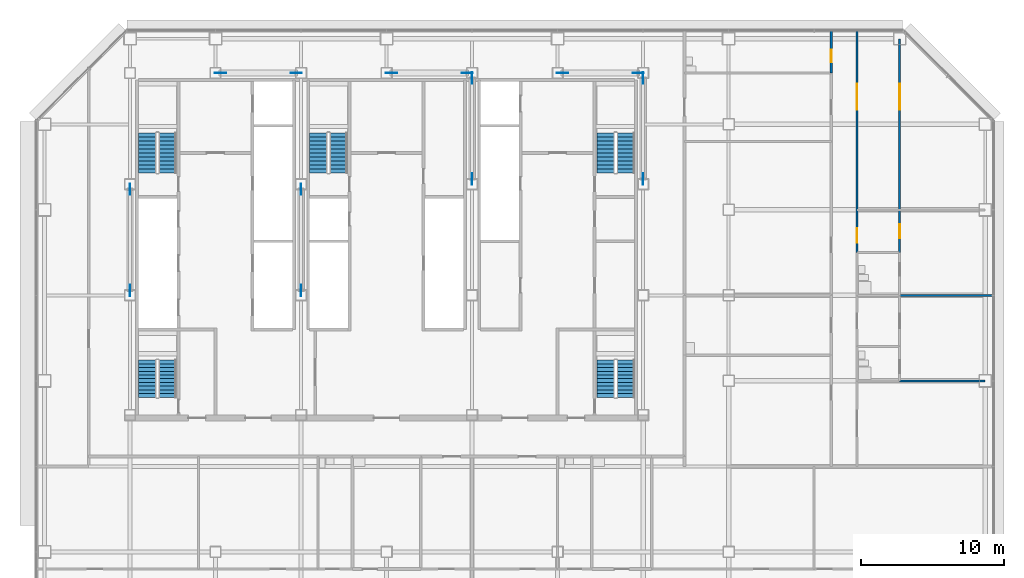
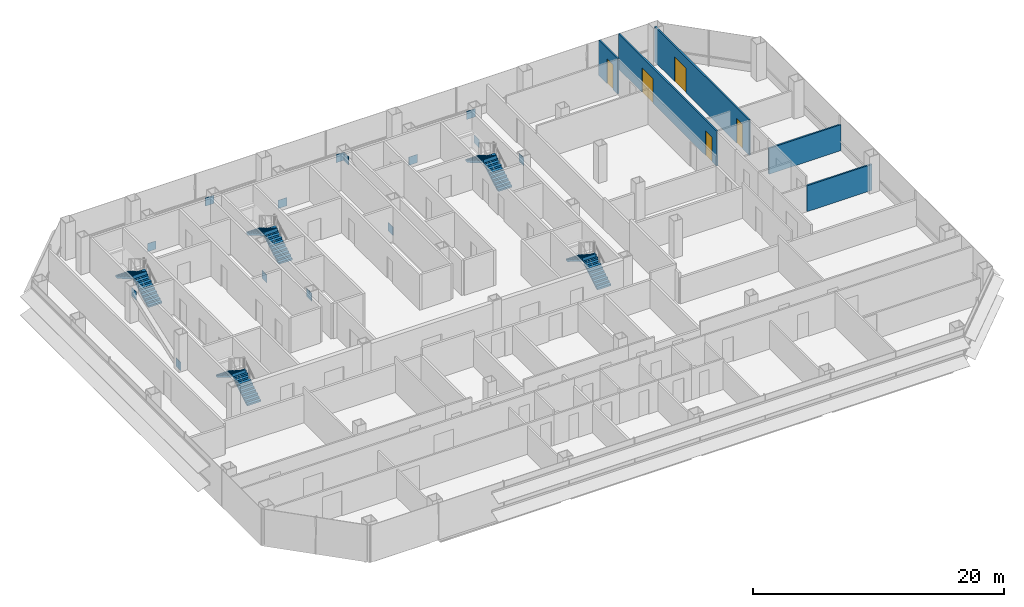
# One storey, part 24 of 26: 14 discrete accessories, 10 stair flights, 5 doors, 5 walls, 5 openings, 5 elements without a shape of their own.
"""IFC4 building model written with IfcOpenShell, lengths in metres."""

from ifc_helpers import new_model, si_unit, direction, frame, frame_2d, origin, origin_2d, place, context, subcontext, project, spatial, polyline, rectangle, outline, extrude, material, layer, layer_set, type_object, element, fill, aggregate, save


model = new_model("IFC4")

# Units and contexts
model_context = context("Model", 3, precision=1e-05, world=origin(), true_north=direction((0.0, 1.0)))
body_context = subcontext(model_context, "Body", "Model", "MODEL_VIEW")
ifc_project = project(units=[si_unit("LENGTHUNIT", "METRE"), si_unit("AREAUNIT", "SQUARE_METRE"), si_unit("VOLUMEUNIT", "CUBIC_METRE"), si_unit("PLANEANGLEUNIT", "RADIAN"), si_unit("MASSUNIT", "GRAM", prefix="KILO")], contexts=[model_context])

# Site, building, storey
site_placement = place(None, origin())
site = spatial("IfcSite", under=ifc_project, at=site_placement, CompositionType="ELEMENT")
building_placement = place(site_placement, origin())
building = spatial("IfcBuilding", under=site, at=building_placement, Name="Sorahane Residences", CompositionType="ELEMENT")
storey_placement = place(building_placement, frame((0.0, 0.0, 64.199951171875)))
storey = spatial("IfcBuildingStorey", under=building, at=storey_placement, Name="L12", CompositionType="ELEMENT", Elevation=64.199951171875)

# Wall, openings, doors
ifc_material_1 = material(Name="Gypsum board partition on steel studs", Category="steel")
ifc_layer_1 = layer(ifc_material_1, 0.14990234375)
ifc_layer_set_1 = layer_set([ifc_layer_1], Name="Partition 150 EI 90")
wall_type_1 = type_object("IfcWallType", Name="Partition 150 EI 90", PredefinedType="PARTITIONING", material=ifc_layer_set_1)
wall_1_placement = place(storey_placement, frame((57.0, 33.0, 0.0), z_axis=(0.0, 0.0, 1.0), x_axis=(0.0, 1.0, 0.0)))
wall_1 = element("IfcWall", 1, at=wall_1_placement, inside=storey, type_object=wall_type_1, Name="L12 partition", PredefinedType="PARTITIONING", context=body_context, shape_type="SweptSolid", body=[
    extrude(rectangle(XDim=15.60009765625, YDim=0.14990234375, at=frame_2d((7.800048828125, 0.0))), origin(), (0.0, 0.0, 1.0), 3.420166015625),
])
opening_1_placement = place(wall_1_placement, frame((0.699951171875, 0.0, 0.0)))
opening_1 = element("IfcOpeningElement", 2, at=opening_1_placement, cuts=wall_1, Name="Opening L12-35", PredefinedType="OPENING", context=body_context, shape_type="SweptSolid", body=[
    extrude(rectangle(XDim=1.0, YDim=2.39990234375, at=frame_2d((0.5, 1.199951171875))), frame((0.0, 0.0849609375, 0.0), z_axis=(0.0, -1.0, 0.0), x_axis=(1.0, 0.0, 0.0)), (0.0, 0.0, 1.0), 0.169921875),
])
opening_2_placement = place(wall_1_placement, frame((10.0400390625, 0.0, 0.0)))
opening_2 = element("IfcOpeningElement", 3, at=opening_2_placement, cuts=wall_1, Name="Opening L12-36", PredefinedType="OPENING", context=body_context, shape_type="SweptSolid", body=[
    extrude(rectangle(XDim=1.800048828125, YDim=2.39990234375, at=frame_2d((0.89990234375, 1.199951171875))), frame((0.0, 0.0849609375, 0.0), z_axis=(0.0, -1.0, 0.0), x_axis=(1.0, 0.0, 0.0)), (0.0, 0.0, 1.0), 0.169921875),
])
ifc_material_2 = material(Name="Timber veneered fire door", Category="wood")
door_type_1 = type_object("IfcDoorType", Name="Double door 1800x2400 FD30", OperationType="NOTDEFINED", PredefinedType="DOOR", material=ifc_material_2)
door_1_placement = place(opening_2_placement, frame((1.800048828125, 0.0, 0.0), z_axis=(0.0, 0.0, 1.0), x_axis=(-1.0, 0.0, 0.0)))
door_1 = element("IfcDoor", 4, at=door_1_placement, inside=storey, type_object=door_type_1, Name="Double door L12-36", OperationType="SINGLE_SWING_RIGHT", OverallHeight=2.39990234375, OverallWidth=1.800048828125, PredefinedType="DOOR", context=body_context, shape_type="SweptSolid", body=[
    extrude(rectangle(XDim=1.800048828125, YDim=2.39990234375, at=frame_2d((0.89990234375, 1.199951171875))), frame((0.0, 0.02490234375, 0.0), z_axis=(0.0, -1.0, 0.0), x_axis=(1.0, 0.0, 0.0)), (0.0, 0.0, 1.0), 0.050048828125),
])
fill(opening_2, door_1)
ifc_material_3 = material(Name="Timber veneered fire door", Category="wood")
door_type_2 = type_object("IfcDoorType", Name="Room door 1000x2400 FD30", OperationType="NOTDEFINED", PredefinedType="DOOR", material=ifc_material_3)
door_2_placement = place(opening_1_placement, frame((1.0, 0.0, 0.0), z_axis=(0.0, 0.0, 1.0), x_axis=(-1.0, 0.0, 0.0)))
door_2 = element("IfcDoor", 5, at=door_2_placement, inside=storey, type_object=door_type_2, Name="Room door L12-35", OperationType="SINGLE_SWING_LEFT", OverallHeight=2.39990234375, OverallWidth=1.0, PredefinedType="DOOR", context=body_context, shape_type="SweptSolid", body=[
    extrude(rectangle(XDim=1.0, YDim=2.39990234375, at=frame_2d((0.5, 1.199951171875))), frame((0.0, 0.02490234375, 0.0), z_axis=(0.0, -1.0, 0.0), x_axis=(1.0, 0.0, 0.0)), (0.0, 0.0, 1.0), 0.050048828125),
])
fill(opening_1, door_2)

wall_2_placement = place(storey_placement, frame((60.0, 33.0, 0.0), z_axis=(0.0, 0.0, 1.0), x_axis=(0.0, 1.0, 0.0)))
wall_2 = element("IfcWall", 6, at=wall_2_placement, inside=storey, type_object=wall_type_1, Name="L12 partition", PredefinedType="PARTITIONING", context=body_context, shape_type="SweptSolid", body=[
    extrude(rectangle(XDim=15.0, YDim=0.14990234375, at=frame_2d((7.5, 0.0))), origin(), (0.0, 0.0, 1.0), 3.420166015625),
])
opening_3_placement = place(wall_2_placement, frame((1.0, 0.0, 0.0)))
opening_3 = element("IfcOpeningElement", 7, at=opening_3_placement, cuts=wall_2, Name="Opening L12-39", PredefinedType="OPENING", context=body_context, shape_type="SweptSolid", body=[
    extrude(rectangle(XDim=1.0, YDim=2.39990234375, at=frame_2d((0.5, 1.199951171875))), frame((0.0, 0.0849609375, 0.0), z_axis=(0.0, -1.0, 0.0), x_axis=(1.0, 0.0, 0.0)), (0.0, 0.0, 1.0), 0.169921875),
])
opening_4_placement = place(wall_2_placement, frame((10.0400390625, 0.0, 0.0)))
opening_4 = element("IfcOpeningElement", 8, at=opening_4_placement, cuts=wall_2, Name="Opening L12-41", PredefinedType="OPENING", context=body_context, shape_type="SweptSolid", body=[
    extrude(rectangle(XDim=1.800048828125, YDim=2.39990234375, at=frame_2d((0.89990234375, 1.199951171875))), frame((0.0, 0.0849609375, 0.0), z_axis=(0.0, -1.0, 0.0), x_axis=(1.0, 0.0, 0.0)), (0.0, 0.0, 1.0), 0.169921875),
])
door_3_placement = place(opening_4_placement, frame((1.800048828125, 0.0, 0.0), z_axis=(0.0, 0.0, 1.0), x_axis=(-1.0, 0.0, 0.0)))
door_3 = element("IfcDoor", 9, at=door_3_placement, inside=storey, type_object=door_type_1, Name="Double door L12-41", OperationType="SINGLE_SWING_LEFT", OverallHeight=2.39990234375, OverallWidth=1.800048828125, PredefinedType="DOOR", context=body_context, shape_type="SweptSolid", body=[
    extrude(rectangle(XDim=1.800048828125, YDim=2.39990234375, at=frame_2d((0.89990234375, 1.199951171875))), frame((0.0, 0.02490234375, 0.0), z_axis=(0.0, -1.0, 0.0), x_axis=(1.0, 0.0, 0.0)), (0.0, 0.0, 1.0), 0.050048828125),
])
fill(opening_4, door_3)
door_4_placement = place(opening_3_placement, frame((1.0, 0.0, 0.0), z_axis=(0.0, 0.0, 1.0), x_axis=(-1.0, 0.0, 0.0)))
door_4 = element("IfcDoor", 10, at=door_4_placement, inside=storey, type_object=door_type_2, Name="Room door L12-39", OperationType="SINGLE_SWING_LEFT", OverallHeight=2.39990234375, OverallWidth=1.0, PredefinedType="DOOR", context=body_context, shape_type="SweptSolid", body=[
    extrude(rectangle(XDim=1.0, YDim=2.39990234375, at=frame_2d((0.5, 1.199951171875))), frame((0.0, 0.02490234375, 0.0), z_axis=(0.0, -1.0, 0.0), x_axis=(1.0, 0.0, 0.0)), (0.0, 0.0, 1.0), 0.050048828125),
])
fill(opening_3, door_4)

# Walls
wall_3_placement = place(storey_placement, frame((60.0, 24.0, 0.0), z_axis=(0.0, 0.0, 1.0), x_axis=(1.0, 0.0, 0.0)))
element("IfcWall", 11, at=wall_3_placement, inside=storey, type_object=wall_type_1, Name="L12 partition", PredefinedType="PARTITIONING", context=body_context, shape_type="SweptSolid", body=[
    extrude(rectangle(XDim=6.0, YDim=0.14990234375, at=frame_2d((3.0, 0.0))), origin(), (0.0, 0.0, 1.0), 2.52001953125),
])
wall_4_placement = place(storey_placement, frame((60.0, 30.0, 0.0), z_axis=(0.0, 0.0, 1.0), x_axis=(1.0, 0.0, 0.0)))
element("IfcWall", 12, at=wall_4_placement, inside=storey, type_object=wall_type_1, Name="L12 partition", PredefinedType="PARTITIONING", context=body_context, shape_type="SweptSolid", body=[
    extrude(rectangle(XDim=6.60009765625, YDim=0.14990234375, at=frame_2d((3.300048828125, 0.0))), origin(), (0.0, 0.0, 1.0), 2.52001953125),
])

# Wall, opening, door
ifc_material_4 = material(Name="Gypsum board partition on steel studs", Category="steel")
ifc_layer_2 = layer(ifc_material_4, 0.14990234375)
ifc_layer_set_2 = layer_set([ifc_layer_2], Name="Wet wall 150 EI 90")
wall_type_2 = type_object("IfcWallType", Name="Wet wall 150 EI 90", PredefinedType="PARTITIONING", material=ifc_layer_set_2)
wall_5_placement = place(storey_placement, frame((55.199951171875, 45.60009765625, 0.0), z_axis=(0.0, 0.0, 1.0), x_axis=(0.0, 1.0, 0.0)))
wall_5 = element("IfcWall", 13, at=wall_5_placement, inside=storey, type_object=wall_type_2, Name="L12 wet wall", PredefinedType="PARTITIONING", context=body_context, shape_type="SweptSolid", body=[
    extrude(rectangle(XDim=3.0, YDim=0.14990234375, at=frame_2d((1.5, 0.0))), origin(), (0.0, 0.0, 1.0), 3.420166015625),
])
opening_5_placement = place(wall_5_placement, frame((0.75, 0.0, 0.0)))
opening_5 = element("IfcOpeningElement", 14, at=opening_5_placement, cuts=wall_5, Name="Opening L12-32", PredefinedType="OPENING", context=body_context, shape_type="SweptSolid", body=[
    extrude(rectangle(XDim=0.89990234375, YDim=2.39990234375, at=frame_2d((0.449951171875, 1.199951171875))), frame((0.0, 0.0849609375, 0.0), z_axis=(0.0, -1.0, 0.0), x_axis=(1.0, 0.0, 0.0)), (0.0, 0.0, 1.0), 0.169921875),
])
ifc_material_5 = material(Name="Timber veneered fire door", Category="wood")
door_type_3 = type_object("IfcDoorType", Name="Bathroom door 900x2400 FD30", OperationType="NOTDEFINED", PredefinedType="DOOR", material=ifc_material_5)
door_5_placement = place(opening_5_placement, frame((0.89990234375, 0.0, 0.0), z_axis=(0.0, 0.0, 1.0), x_axis=(-1.0, 0.0, 0.0)))
door_5 = element("IfcDoor", 15, at=door_5_placement, inside=storey, type_object=door_type_3, Name="Bathroom door L12-32", OperationType="SINGLE_SWING_LEFT", OverallHeight=2.39990234375, OverallWidth=0.89990234375, PredefinedType="DOOR", context=body_context, shape_type="SweptSolid", body=[
    extrude(rectangle(XDim=0.89990234375, YDim=2.39990234375, at=frame_2d((0.449951171875, 1.199951171875))), frame((0.0, 0.02490234375, 0.0), z_axis=(0.0, -1.0, 0.0), x_axis=(1.0, 0.0, 0.0)), (0.0, 0.0, 1.0), 0.050048828125),
])
fill(opening_5, door_5)

# Stair, stair flights
ifc_material_6 = material(Name="Concrete C40", Category="concrete")
stair_type = type_object("IfcStairType", Name="Dog-leg stair 1250 Concrete C40", PredefinedType="HALF_TURN_STAIR", material=ifc_material_6)
stair_1_placement = place(storey_placement, origin())
stair_1 = element("IfcStair", 16, at=stair_1_placement, inside=storey, type_object=stair_type, Name="L12 Stair S1", PredefinedType="HALF_TURN_STAIR")
ifc_material_7 = material(Name="Concrete C40", Category="concrete")
stair_flight_type = type_object("IfcStairFlightType", Name="Stair flight 1250 Concrete C40", PredefinedType="STRAIGHT", material=ifc_material_7)
stair_flight_1_placement = place(storey_placement, frame((8.625, 38.60009765625, 0.0), z_axis=(0.0, 0.0, 1.0), x_axis=(0.0, 1.0, 0.0)))
stair_flight_1 = element("IfcStairFlight", 17, at=stair_flight_1_placement, type_object=stair_flight_type, Name="S1 flight 1", NumberOfRisers=11, NumberOfTreads=10, PredefinedType="STRAIGHT", RiserHeight=0.163636364, TreadLength=0.28, context=body_context, shape_type="SweptSolid", body=[
    extrude(outline(polyline([(-0.00146484375, 0.0), (-0.00146484375, 0.16357421875), (0.0, 0.16357421875), (0.280029296875, 0.16357421875), (0.280029296875, 0.327392578125), (0.56005859375, 0.327392578125), (0.56005859375, 0.490966796875), (0.840087890625, 0.490966796875), (0.840087890625, 0.654541015625), (1.1201171875, 0.654541015625), (1.1201171875, 0.818115234375), (1.39990234375, 0.818115234375), (1.39990234375, 0.98193359375), (1.679931640625, 0.98193359375), (1.679931640625, 1.1455078125), (1.9599609375, 1.1455078125), (1.9599609375, 1.30908203125), (2.239990234375, 1.30908203125), (2.239990234375, 1.47265625), (2.52001953125, 1.47265625), (2.52001953125, 1.636474609375), (2.800048828125, 1.636474609375), (2.800048828125, 1.800048828125), (2.800048828125, 1.462646484375), (2.59130859375, 1.3408203125), (2.3828125, 1.218994140625), (2.17431640625, 1.09716796875), (1.965576171875, 0.97509765625), (1.757080078125, 0.853271484375), (1.548583984375, 0.7314453125), (1.340087890625, 0.609375), (1.13134765625, 0.487548828125), (0.9228515625, 0.36572265625), (0.71435546875, 0.243896484375), (0.505615234375, 0.121826171875), (0.297119140625, 0.0), (-0.00146484375, 0.0)])), frame((0.0, 0.625, 0.0), z_axis=(0.0, -1.0, 0.0), x_axis=(1.0, 0.0, 0.0)), (0.0, 0.0, 1.0), 1.25),
])
stair_flight_2_placement = place(storey_placement, frame((7.22509765625, 41.39990234375, 1.800048828125), z_axis=(0.0, 0.0, 1.0), x_axis=(0.0, -1.0, 0.0)))
stair_flight_2 = element("IfcStairFlight", 18, at=stair_flight_2_placement, type_object=stair_flight_type, Name="S1 flight 2", NumberOfRisers=11, NumberOfTreads=10, PredefinedType="STRAIGHT", RiserHeight=0.163636364, TreadLength=0.28, context=body_context, shape_type="SweptSolid", body=[
    extrude(outline(polyline([(0.0, 0.0), (0.0, 0.16357421875), (0.280029296875, 0.16357421875), (0.280029296875, 0.327392578125), (0.56005859375, 0.327392578125), (0.56005859375, 0.490966796875), (0.840087890625, 0.490966796875), (0.840087890625, 0.654541015625), (1.1201171875, 0.654541015625), (1.1201171875, 0.818115234375), (1.39990234375, 0.818115234375), (1.39990234375, 0.98193359375), (1.679931640625, 0.98193359375), (1.679931640625, 1.1455078125), (1.9599609375, 1.1455078125), (1.9599609375, 1.30908203125), (2.239990234375, 1.30908203125), (2.239990234375, 1.47265625), (2.52001953125, 1.47265625), (2.52001953125, 1.636474609375), (2.800048828125, 1.636474609375), (2.800048828125, 1.800048828125), (2.801513671875, 1.800048828125), (2.801513671875, 1.462646484375), (2.5927734375, 1.3408203125), (2.384033203125, 1.218994140625), (2.17529296875, 1.09716796875), (1.966796875, 0.97509765625), (1.758056640625, 0.853271484375), (1.54931640625, 0.7314453125), (1.340576171875, 0.609375), (1.1318359375, 0.487548828125), (0.923095703125, 0.36572265625), (0.714599609375, 0.243896484375), (0.505859375, 0.121826171875), (0.297119140625, 0.0), (0.0, 0.0)])), frame((0.0, 0.625, 0.0), z_axis=(0.0, -1.0, 0.0), x_axis=(1.0, 0.0, 0.0)), (0.0, 0.0, 1.0), 1.25),
])
aggregate(stair_1, [stair_flight_1, stair_flight_2])

stair_2_placement = place(storey_placement, origin())
stair_2 = element("IfcStair", 19, at=stair_2_placement, inside=storey, type_object=stair_type, Name="L12 Stair S2", PredefinedType="HALF_TURN_STAIR")
stair_flight_3_placement = place(storey_placement, frame((40.77490234375, 38.60009765625, 0.0), z_axis=(0.0, 0.0, 1.0), x_axis=(0.0, 1.0, 0.0)))
stair_flight_3 = element("IfcStairFlight", 20, at=stair_flight_3_placement, type_object=stair_flight_type, Name="S2 flight 1", NumberOfRisers=11, NumberOfTreads=10, PredefinedType="STRAIGHT", RiserHeight=0.163636364, TreadLength=0.28, context=body_context, shape_type="SweptSolid", body=[
    extrude(outline(polyline([(-0.00146484375, 0.0), (-0.00146484375, 0.16357421875), (0.0, 0.16357421875), (0.280029296875, 0.16357421875), (0.280029296875, 0.327392578125), (0.56005859375, 0.327392578125), (0.56005859375, 0.490966796875), (0.840087890625, 0.490966796875), (0.840087890625, 0.654541015625), (1.1201171875, 0.654541015625), (1.1201171875, 0.818115234375), (1.39990234375, 0.818115234375), (1.39990234375, 0.98193359375), (1.679931640625, 0.98193359375), (1.679931640625, 1.1455078125), (1.9599609375, 1.1455078125), (1.9599609375, 1.30908203125), (2.239990234375, 1.30908203125), (2.239990234375, 1.47265625), (2.52001953125, 1.47265625), (2.52001953125, 1.636474609375), (2.800048828125, 1.636474609375), (2.800048828125, 1.800048828125), (2.800048828125, 1.462646484375), (2.59130859375, 1.3408203125), (2.3828125, 1.218994140625), (2.17431640625, 1.09716796875), (1.965576171875, 0.97509765625), (1.757080078125, 0.853271484375), (1.548583984375, 0.7314453125), (1.340087890625, 0.609375), (1.13134765625, 0.487548828125), (0.9228515625, 0.36572265625), (0.71435546875, 0.243896484375), (0.505615234375, 0.121826171875), (0.297119140625, 0.0), (-0.00146484375, 0.0)])), frame((0.0, 0.625, 0.0), z_axis=(0.0, -1.0, 0.0), x_axis=(1.0, 0.0, 0.0)), (0.0, 0.0, 1.0), 1.25),
])
stair_flight_4_placement = place(storey_placement, frame((39.375, 41.39990234375, 1.800048828125), z_axis=(0.0, 0.0, 1.0), x_axis=(0.0, -1.0, 0.0)))
stair_flight_4 = element("IfcStairFlight", 21, at=stair_flight_4_placement, type_object=stair_flight_type, Name="S2 flight 2", NumberOfRisers=11, NumberOfTreads=10, PredefinedType="STRAIGHT", RiserHeight=0.163636364, TreadLength=0.28, context=body_context, shape_type="SweptSolid", body=[
    extrude(outline(polyline([(0.0, 0.0), (0.0, 0.16357421875), (0.280029296875, 0.16357421875), (0.280029296875, 0.327392578125), (0.56005859375, 0.327392578125), (0.56005859375, 0.490966796875), (0.840087890625, 0.490966796875), (0.840087890625, 0.654541015625), (1.1201171875, 0.654541015625), (1.1201171875, 0.818115234375), (1.39990234375, 0.818115234375), (1.39990234375, 0.98193359375), (1.679931640625, 0.98193359375), (1.679931640625, 1.1455078125), (1.9599609375, 1.1455078125), (1.9599609375, 1.30908203125), (2.239990234375, 1.30908203125), (2.239990234375, 1.47265625), (2.52001953125, 1.47265625), (2.52001953125, 1.636474609375), (2.800048828125, 1.636474609375), (2.800048828125, 1.800048828125), (2.801513671875, 1.800048828125), (2.801513671875, 1.462646484375), (2.5927734375, 1.3408203125), (2.384033203125, 1.218994140625), (2.17529296875, 1.09716796875), (1.966796875, 0.97509765625), (1.758056640625, 0.853271484375), (1.54931640625, 0.7314453125), (1.340576171875, 0.609375), (1.1318359375, 0.487548828125), (0.923095703125, 0.36572265625), (0.714599609375, 0.243896484375), (0.505859375, 0.121826171875), (0.297119140625, 0.0), (0.0, 0.0)])), frame((0.0, 0.625, 0.0), z_axis=(0.0, -1.0, 0.0), x_axis=(1.0, 0.0, 0.0)), (0.0, 0.0, 1.0), 1.25),
])
aggregate(stair_2, [stair_flight_3, stair_flight_4])

stair_3_placement = place(storey_placement, origin())
stair_3 = element("IfcStair", 22, at=stair_3_placement, inside=storey, type_object=stair_type, Name="L12 Stair S3", PredefinedType="HALF_TURN_STAIR")
stair_flight_5_placement = place(storey_placement, frame((20.625, 38.60009765625, 0.0), z_axis=(0.0, 0.0, 1.0), x_axis=(0.0, 1.0, 0.0)))
stair_flight_5 = element("IfcStairFlight", 23, at=stair_flight_5_placement, type_object=stair_flight_type, Name="S3 flight 1", NumberOfRisers=11, NumberOfTreads=10, PredefinedType="STRAIGHT", RiserHeight=0.163636364, TreadLength=0.28, context=body_context, shape_type="SweptSolid", body=[
    extrude(outline(polyline([(-0.00146484375, 0.0), (-0.00146484375, 0.16357421875), (0.0, 0.16357421875), (0.280029296875, 0.16357421875), (0.280029296875, 0.327392578125), (0.56005859375, 0.327392578125), (0.56005859375, 0.490966796875), (0.840087890625, 0.490966796875), (0.840087890625, 0.654541015625), (1.1201171875, 0.654541015625), (1.1201171875, 0.818115234375), (1.39990234375, 0.818115234375), (1.39990234375, 0.98193359375), (1.679931640625, 0.98193359375), (1.679931640625, 1.1455078125), (1.9599609375, 1.1455078125), (1.9599609375, 1.30908203125), (2.239990234375, 1.30908203125), (2.239990234375, 1.47265625), (2.52001953125, 1.47265625), (2.52001953125, 1.636474609375), (2.800048828125, 1.636474609375), (2.800048828125, 1.800048828125), (2.800048828125, 1.462646484375), (2.59130859375, 1.3408203125), (2.3828125, 1.218994140625), (2.17431640625, 1.09716796875), (1.965576171875, 0.97509765625), (1.757080078125, 0.853271484375), (1.548583984375, 0.7314453125), (1.340087890625, 0.609375), (1.13134765625, 0.487548828125), (0.9228515625, 0.36572265625), (0.71435546875, 0.243896484375), (0.505615234375, 0.121826171875), (0.297119140625, 0.0), (-0.00146484375, 0.0)])), frame((0.0, 0.625, 0.0), z_axis=(0.0, -1.0, 0.0), x_axis=(1.0, 0.0, 0.0)), (0.0, 0.0, 1.0), 1.25),
])
stair_flight_6_placement = place(storey_placement, frame((19.22509765625, 41.39990234375, 1.800048828125), z_axis=(0.0, 0.0, 1.0), x_axis=(0.0, -1.0, 0.0)))
stair_flight_6 = element("IfcStairFlight", 24, at=stair_flight_6_placement, type_object=stair_flight_type, Name="S3 flight 2", NumberOfRisers=11, NumberOfTreads=10, PredefinedType="STRAIGHT", RiserHeight=0.163636364, TreadLength=0.28, context=body_context, shape_type="SweptSolid", body=[
    extrude(outline(polyline([(0.0, 0.0), (0.0, 0.16357421875), (0.280029296875, 0.16357421875), (0.280029296875, 0.327392578125), (0.56005859375, 0.327392578125), (0.56005859375, 0.490966796875), (0.840087890625, 0.490966796875), (0.840087890625, 0.654541015625), (1.1201171875, 0.654541015625), (1.1201171875, 0.818115234375), (1.39990234375, 0.818115234375), (1.39990234375, 0.98193359375), (1.679931640625, 0.98193359375), (1.679931640625, 1.1455078125), (1.9599609375, 1.1455078125), (1.9599609375, 1.30908203125), (2.239990234375, 1.30908203125), (2.239990234375, 1.47265625), (2.52001953125, 1.47265625), (2.52001953125, 1.636474609375), (2.800048828125, 1.636474609375), (2.800048828125, 1.800048828125), (2.801513671875, 1.800048828125), (2.801513671875, 1.462646484375), (2.5927734375, 1.3408203125), (2.384033203125, 1.218994140625), (2.17529296875, 1.09716796875), (1.966796875, 0.97509765625), (1.758056640625, 0.853271484375), (1.54931640625, 0.7314453125), (1.340576171875, 0.609375), (1.1318359375, 0.487548828125), (0.923095703125, 0.36572265625), (0.714599609375, 0.243896484375), (0.505859375, 0.121826171875), (0.297119140625, 0.0), (0.0, 0.0)])), frame((0.0, 0.625, 0.0), z_axis=(0.0, -1.0, 0.0), x_axis=(1.0, 0.0, 0.0)), (0.0, 0.0, 1.0), 1.25),
])
aggregate(stair_3, [stair_flight_5, stair_flight_6])

stair_4_placement = place(storey_placement, origin())
stair_4 = element("IfcStair", 25, at=stair_4_placement, inside=storey, type_object=stair_type, Name="L12 Stair S4", PredefinedType="HALF_TURN_STAIR")
stair_flight_7_placement = place(storey_placement, frame((8.625, 22.85009765625, 0.0), z_axis=(0.0, 0.0, 1.0), x_axis=(0.0, 1.0, 0.0)))
stair_flight_7 = element("IfcStairFlight", 26, at=stair_flight_7_placement, type_object=stair_flight_type, Name="S4 flight 1", NumberOfRisers=11, NumberOfTreads=10, PredefinedType="STRAIGHT", RiserHeight=0.163636364, TreadLength=0.26, context=body_context, shape_type="SweptSolid", body=[
    extrude(outline(polyline([(-0.00146484375, 0.0), (-0.00146484375, 0.16357421875), (0.0, 0.16357421875), (0.260009765625, 0.16357421875), (0.260009765625, 0.327392578125), (0.52001953125, 0.327392578125), (0.52001953125, 0.490966796875), (0.780029296875, 0.490966796875), (0.780029296875, 0.654541015625), (1.0400390625, 0.654541015625), (1.0400390625, 0.818115234375), (1.300048828125, 0.818115234375), (1.300048828125, 0.98193359375), (1.56005859375, 0.98193359375), (1.56005859375, 1.1455078125), (1.820068359375, 1.1455078125), (1.820068359375, 1.30908203125), (2.080078125, 1.30908203125), (2.080078125, 1.47265625), (2.340087890625, 1.47265625), (2.340087890625, 1.636474609375), (2.60009765625, 1.636474609375), (2.60009765625, 1.800048828125), (2.60009765625, 1.494384765625), (2.402099609375, 1.369873046875), (2.204345703125, 1.245361328125), (2.00634765625, 1.120849609375), (1.80859375, 0.996337890625), (1.610595703125, 0.871826171875), (1.412841796875, 0.747314453125), (1.21484375, 0.622802734375), (1.01708984375, 0.498046875), (0.819091796875, 0.37353515625), (0.621337890625, 0.2490234375), (0.42333984375, 0.12451171875), (0.2255859375, 0.0), (-0.00146484375, 0.0)])), frame((0.0, 0.625, 0.0), z_axis=(0.0, -1.0, 0.0), x_axis=(1.0, 0.0, 0.0)), (0.0, 0.0, 1.0), 1.25),
])
stair_flight_8_placement = place(storey_placement, frame((7.22509765625, 25.449951171875, 1.800048828125), z_axis=(0.0, 0.0, 1.0), x_axis=(0.0, -1.0, 0.0)))
stair_flight_8 = element("IfcStairFlight", 27, at=stair_flight_8_placement, type_object=stair_flight_type, Name="S4 flight 2", NumberOfRisers=11, NumberOfTreads=10, PredefinedType="STRAIGHT", RiserHeight=0.163636364, TreadLength=0.26, context=body_context, shape_type="SweptSolid", body=[
    extrude(outline(polyline([(0.0, 0.0), (0.0, 0.16357421875), (0.260009765625, 0.16357421875), (0.260009765625, 0.327392578125), (0.52001953125, 0.327392578125), (0.52001953125, 0.490966796875), (0.780029296875, 0.490966796875), (0.780029296875, 0.654541015625), (1.0400390625, 0.654541015625), (1.0400390625, 0.818115234375), (1.300048828125, 0.818115234375), (1.300048828125, 0.98193359375), (1.56005859375, 0.98193359375), (1.56005859375, 1.1455078125), (1.820068359375, 1.1455078125), (1.820068359375, 1.30908203125), (2.080078125, 1.30908203125), (2.080078125, 1.47265625), (2.340087890625, 1.47265625), (2.340087890625, 1.636474609375), (2.60009765625, 1.636474609375), (2.60009765625, 1.800048828125), (2.6015625, 1.800048828125), (2.6015625, 1.494384765625), (2.403564453125, 1.369873046875), (2.20556640625, 1.245361328125), (2.007568359375, 1.120849609375), (1.8095703125, 0.996337890625), (1.611572265625, 0.871826171875), (1.41357421875, 0.747314453125), (1.215576171875, 0.622802734375), (1.017578125, 0.498046875), (0.819580078125, 0.37353515625), (0.62158203125, 0.2490234375), (0.423583984375, 0.12451171875), (0.2255859375, 0.0), (0.0, 0.0)])), frame((0.0, 0.625, 0.0), z_axis=(0.0, -1.0, 0.0), x_axis=(1.0, 0.0, 0.0)), (0.0, 0.0, 1.0), 1.25),
])
aggregate(stair_4, [stair_flight_7, stair_flight_8])

stair_5_placement = place(storey_placement, origin())
stair_5 = element("IfcStair", 28, at=stair_5_placement, inside=storey, type_object=stair_type, Name="L12 Stair S5", PredefinedType="HALF_TURN_STAIR")
stair_flight_9_placement = place(storey_placement, frame((40.77490234375, 22.85009765625, 0.0), z_axis=(0.0, 0.0, 1.0), x_axis=(0.0, 1.0, 0.0)))
stair_flight_9 = element("IfcStairFlight", 29, at=stair_flight_9_placement, type_object=stair_flight_type, Name="S5 flight 1", NumberOfRisers=11, NumberOfTreads=10, PredefinedType="STRAIGHT", RiserHeight=0.163636364, TreadLength=0.26, context=body_context, shape_type="SweptSolid", body=[
    extrude(outline(polyline([(-0.00146484375, 0.0), (-0.00146484375, 0.16357421875), (0.0, 0.16357421875), (0.260009765625, 0.16357421875), (0.260009765625, 0.327392578125), (0.52001953125, 0.327392578125), (0.52001953125, 0.490966796875), (0.780029296875, 0.490966796875), (0.780029296875, 0.654541015625), (1.0400390625, 0.654541015625), (1.0400390625, 0.818115234375), (1.300048828125, 0.818115234375), (1.300048828125, 0.98193359375), (1.56005859375, 0.98193359375), (1.56005859375, 1.1455078125), (1.820068359375, 1.1455078125), (1.820068359375, 1.30908203125), (2.080078125, 1.30908203125), (2.080078125, 1.47265625), (2.340087890625, 1.47265625), (2.340087890625, 1.636474609375), (2.60009765625, 1.636474609375), (2.60009765625, 1.800048828125), (2.60009765625, 1.494384765625), (2.402099609375, 1.369873046875), (2.204345703125, 1.245361328125), (2.00634765625, 1.120849609375), (1.80859375, 0.996337890625), (1.610595703125, 0.871826171875), (1.412841796875, 0.747314453125), (1.21484375, 0.622802734375), (1.01708984375, 0.498046875), (0.819091796875, 0.37353515625), (0.621337890625, 0.2490234375), (0.42333984375, 0.12451171875), (0.2255859375, 0.0), (-0.00146484375, 0.0)])), frame((0.0, 0.625, 0.0), z_axis=(0.0, -1.0, 0.0), x_axis=(1.0, 0.0, 0.0)), (0.0, 0.0, 1.0), 1.25),
])
stair_flight_10_placement = place(storey_placement, frame((39.375, 25.449951171875, 1.800048828125), z_axis=(0.0, 0.0, 1.0), x_axis=(0.0, -1.0, 0.0)))
stair_flight_10 = element("IfcStairFlight", 30, at=stair_flight_10_placement, type_object=stair_flight_type, Name="S5 flight 2", NumberOfRisers=11, NumberOfTreads=10, PredefinedType="STRAIGHT", RiserHeight=0.163636364, TreadLength=0.26, context=body_context, shape_type="SweptSolid", body=[
    extrude(outline(polyline([(0.0, 0.0), (0.0, 0.16357421875), (0.260009765625, 0.16357421875), (0.260009765625, 0.327392578125), (0.52001953125, 0.327392578125), (0.52001953125, 0.490966796875), (0.780029296875, 0.490966796875), (0.780029296875, 0.654541015625), (1.0400390625, 0.654541015625), (1.0400390625, 0.818115234375), (1.300048828125, 0.818115234375), (1.300048828125, 0.98193359375), (1.56005859375, 0.98193359375), (1.56005859375, 1.1455078125), (1.820068359375, 1.1455078125), (1.820068359375, 1.30908203125), (2.080078125, 1.30908203125), (2.080078125, 1.47265625), (2.340087890625, 1.47265625), (2.340087890625, 1.636474609375), (2.60009765625, 1.636474609375), (2.60009765625, 1.800048828125), (2.6015625, 1.800048828125), (2.6015625, 1.494384765625), (2.403564453125, 1.369873046875), (2.20556640625, 1.245361328125), (2.007568359375, 1.120849609375), (1.8095703125, 0.996337890625), (1.611572265625, 0.871826171875), (1.41357421875, 0.747314453125), (1.215576171875, 0.622802734375), (1.017578125, 0.498046875), (0.819580078125, 0.37353515625), (0.62158203125, 0.2490234375), (0.423583984375, 0.12451171875), (0.2255859375, 0.0), (0.0, 0.0)])), frame((0.0, 0.625, 0.0), z_axis=(0.0, -1.0, 0.0), x_axis=(1.0, 0.0, 0.0)), (0.0, 0.0, 1.0), 1.25),
])
aggregate(stair_5, [stair_flight_9, stair_flight_10])

# Discrete accessories
ifc_material_8 = material(Name="Steel Q355B", Category="steel")
ifc_layer_3 = layer(ifc_material_8, 0.02490234375)
ifc_layer_set_3 = layer_set([ifc_layer_3], Name="Node plate Steel Q355B 25")
discrete_accessory_type = type_object("IfcDiscreteAccessoryType", Name="Node plate Steel Q355B 25", PredefinedType="BRACKET", material=ifc_layer_set_3)
for number, where, z_axis, x_axis, name in (
    (31, (6.0, 30.354248046875, -0.19140625), (0.0, 0.0, 1.0), (0.0, 1.0, 0.0), "Node plate L12 br"),
    (32, (6.0, 37.44580078125, 2.361328125), (0.0, 0.0, 1.0), (0.0, 1.0, 0.0), "Node plate L12 br"),
    (33, (18.0, 37.44580078125, -0.19140625), (0.0, 0.0, 1.0), (0.0, 1.0, 0.0), "Node plate L12 br"),
    (34, (18.0, 30.354248046875, 2.361328125), (0.0, 0.0, 1.0), (0.0, 1.0, 0.0), "Node plate L12 br"),
    (35, (30.0, 38.154296875, -0.19140625), (0.0, 0.0, 1.0), (0.0, 1.0, 0.0), "Node plate L12 br"),
    (36, (30.0, 45.24560546875, 2.361328125), (0.0, 0.0, 1.0), (0.0, 1.0, 0.0), "Node plate L12 br"),
    (37, (42.0, 45.24560546875, -0.19140625), (0.0, 0.0, 1.0), (0.0, 1.0, 0.0), "Node plate L12 br"),
    (38, (42.0, 38.154296875, 2.361328125), (0.0, 0.0, 1.0), (0.0, 1.0, 0.0), "Node plate L12 br"),
    (39, (12.341064453125, 45.60009765625, -0.20361328125), (0.0, 0.0, 1.0), (1.0, 0.0, 0.0), "Node plate L12 br"),
    (40, (24.341064453125, 45.60009765625, -0.20361328125), (0.0, 0.0, 1.0), (1.0, 0.0, 0.0), "Node plate L12 br"),
    (41, (36.341064453125, 45.60009765625, -0.20361328125), (0.0, 0.0, 1.0), (1.0, 0.0, 0.0), "Node plate L12 br"),
    (42, (17.658935546875, 45.60009765625, 2.37353515625), (0.0, 0.0, 1.0), (1.0, 0.0, 0.0), "Node plate L12 br"),
    (43, (29.658935546875, 45.60009765625, 2.37353515625), (0.0, 0.0, 1.0), (1.0, 0.0, 0.0), "Node plate L12 br"),
    (44, (41.658935546875, 45.60009765625, 2.37353515625), (0.0, 0.0, 1.0), (1.0, 0.0, 0.0), "Node plate L12 br"),
):
    element("IfcDiscreteAccessory", number, at=place(storey_placement, frame(where, z_axis=z_axis, x_axis=x_axis)), inside=storey, type_object=discrete_accessory_type, Name=name, PredefinedType="BRACKET", context=body_context, shape_type="SweptSolid", body=[
        extrude(rectangle(XDim=0.800048828125, YDim=0.02490234375, at=origin_2d()), origin(), (0.0, 0.0, 1.0), 0.800048828125),
    ])

save(model, "model.ifc")
